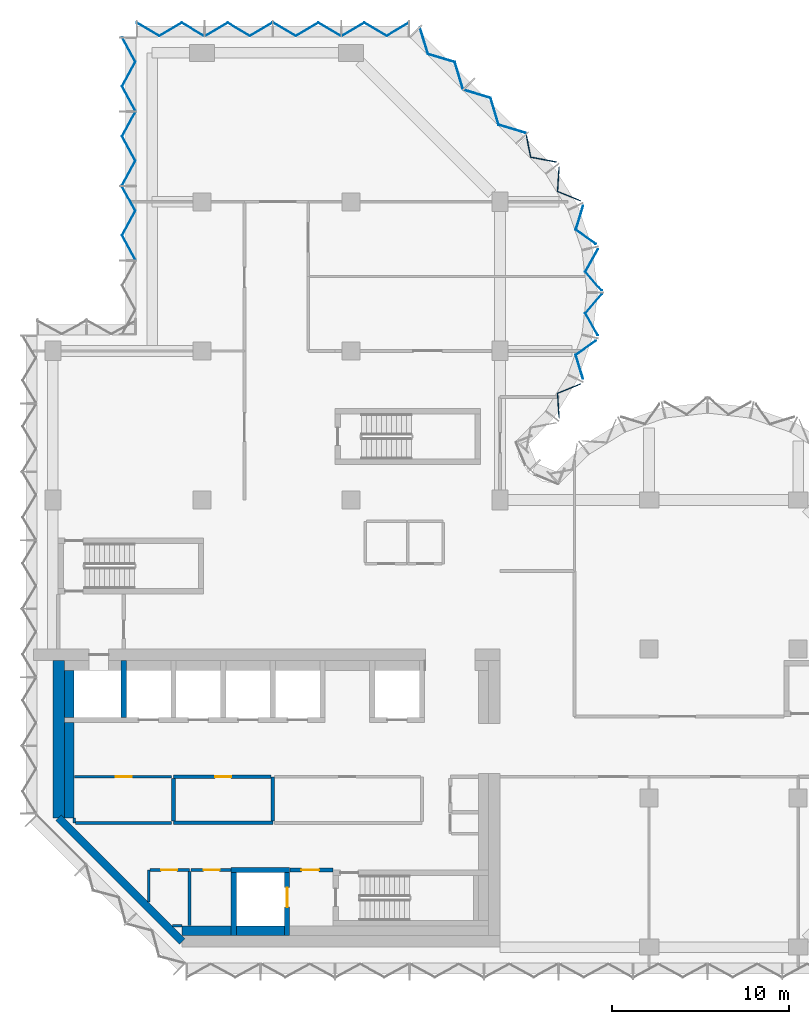
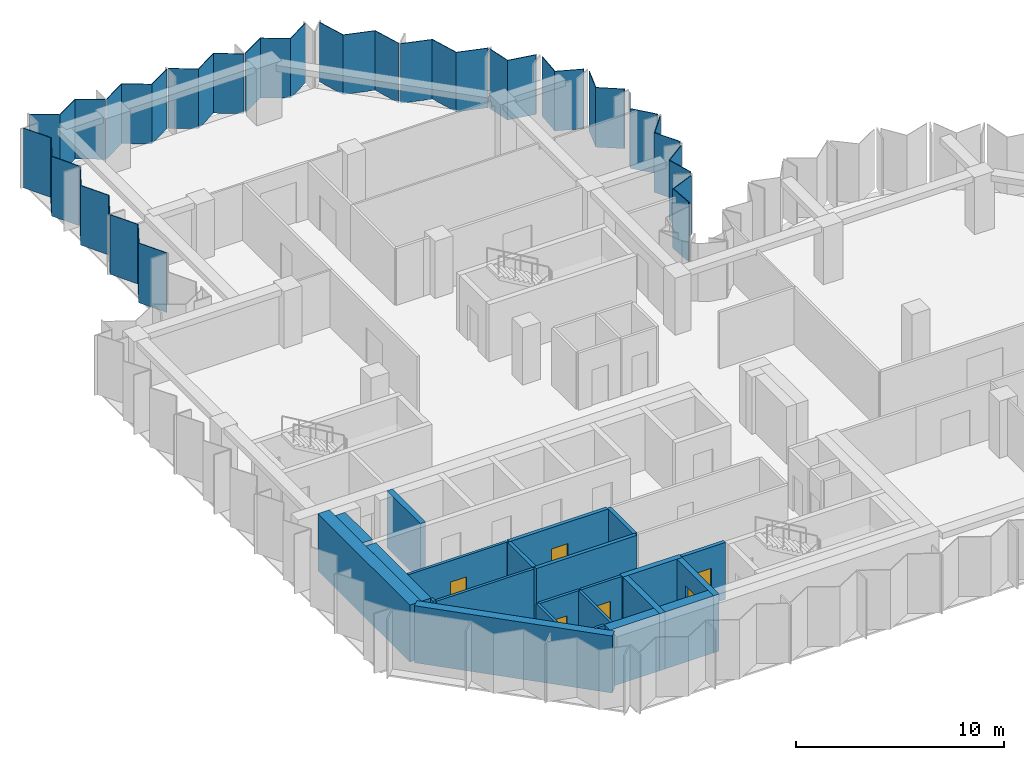
# One storey, part 4 of 9: 23 walls, 16 plates, 6 doors, 6 openings, 4 elements without a shape of their own.
"""IFC4 building model written with IfcOpenShell, lengths in metres."""

import ifcopenshell
import ifcopenshell.guid

model = None  # the IFC model being written
_history = None  # IfcOwnerHistory: only IFC2X3 demands one
_inside = {}  # id of a spatial element -> (the spatial element, [elements in it])
_under = {}  # id of a project, library or spatial element -> (it, [spatial elements below it])
_declared = {}  # id of a project -> (the project, [libraries it declares])
_typed = {}  # id of a type object -> (the type object, [elements of that type])
_made_of = {}  # id of a material, layer set ... -> (it, [elements and type objects made of it])


def new_model(schema):
    """Start an empty IFC model of exactly this schema.

    Asked for "IFC4X3", IfcOpenShell would pick the latest addendum, in which some entities
    have other attributes; the version numbers below select the first issue.
    IFC2X3 requires an IfcOwnerHistory on every rooted entity: one is made here for all.
    """
    global model, _history
    if schema == "IFC4X3":
        model = ifcopenshell.file(schema_version=(4, 3, 0, 0))
    else:
        model = ifcopenshell.file(schema=schema)
    _inside.clear()
    _under.clear()
    _declared.clear()
    _typed.clear()
    _made_of.clear()
    _history = None
    if model.schema == "IFC2X3":
        org = make("IfcOrganization", Name="unknown")
        user = make(
            "IfcPersonAndOrganization",
            ThePerson=make("IfcPerson", FamilyName="unknown"),
            TheOrganization=org,
        )
        app = make(
            "IfcApplication",
            ApplicationDeveloper=org,
            Version="unknown",
            ApplicationFullName="unknown",
            ApplicationIdentifier="unknown",
        )
        _history = make(
            "IfcOwnerHistory",
            OwningUser=user,
            OwningApplication=app,
            ChangeAction="ADDED",
            CreationDate=0,
        )
    return model


def make(cls, **values):
    """One entity of the class cls with the attributes given. An attribute that is None is left unset."""
    return model.create_entity(
        cls, **{name: value for name, value in values.items() if value is not None}
    )


def rooted(cls, **values):
    """An entity with a GlobalId (a new one), such as an element, a storey or a relation."""
    return make(cls, GlobalId=ifcopenshell.guid.new(), OwnerHistory=_history, **values)


def si_unit(unit_type, name, prefix=None):
    """IfcSIUnit, for example si_unit("LENGTHUNIT", "METRE", prefix="MILLI")."""
    return make("IfcSIUnit", UnitType=unit_type, Prefix=prefix, Name=name)


def assignment(units):
    """IfcUnitAssignment: the units of a project."""
    return None if units is None else make("IfcUnitAssignment", Units=units)


def point(xyz):
    """IfcCartesianPoint."""
    return None if xyz is None else make("IfcCartesianPoint", Coordinates=xyz)


def direction(xyz):
    """IfcDirection."""
    return None if xyz is None else make("IfcDirection", DirectionRatios=xyz)


def frame(location, z_axis=None, x_axis=None):
    """IfcAxis2Placement3D, a coordinate frame: its origin and axes. An axis left out is left unset."""
    return make(
        "IfcAxis2Placement3D",
        Location=point(location),
        Axis=direction(z_axis),
        RefDirection=direction(x_axis),
    )


def frame_2d(location, x_axis=None):
    """IfcAxis2Placement2D, a coordinate frame in the plane: its origin and x axis."""
    return make(
        "IfcAxis2Placement2D", Location=point(location), RefDirection=direction(x_axis)
    )


def origin():
    """The frame at (0, 0, 0) with its axes left unset."""
    return frame((0.0, 0.0, 0.0))


def place(relative_to, where):
    """IfcLocalPlacement: puts the frame where relative to a parent placement (None: the world)."""
    return make(
        "IfcLocalPlacement", PlacementRelTo=relative_to, RelativePlacement=where
    )


def context(
    kind, dimensions, precision=None, world=None, true_north=None, identifier=None
):
    """IfcGeometricRepresentationContext, for example the 3D "Model" context."""
    return make(
        "IfcGeometricRepresentationContext",
        ContextIdentifier=identifier,
        ContextType=kind,
        CoordinateSpaceDimension=dimensions,
        Precision=precision,
        WorldCoordinateSystem=world,
        TrueNorth=true_north,
    )


def subcontext(parent, identifier, kind, view, scale=None):
    """IfcGeometricRepresentationSubContext, for example "Body" below "Model"."""
    return make(
        "IfcGeometricRepresentationSubContext",
        ContextIdentifier=identifier,
        ContextType=kind,
        ParentContext=parent,
        TargetScale=scale,
        TargetView=view,
    )


def project(units=None, contexts=None):
    """IfcProject with its units and contexts."""
    return rooted(
        "IfcProject",
        Name="project",
        RepresentationContexts=contexts,
        UnitsInContext=assignment(units),
    )


def spatial(cls, under=None, at=None, **own):
    """A site, building, storey or space (cls), placed at a placement, below another one or the project."""
    s = rooted(cls, ObjectPlacement=at, **own)
    if under is not None:
        _under.setdefault(under.id(), (under, []))[1].append(s)
    return s


def polyline(points):
    """IfcPolyline through the points."""
    return make("IfcPolyline", Points=[point(p) for p in points])


def profile(cls, at=None, kind="AREA", **sizes):
    """A parametric profile (cls). Its sizes go by their IFC names, for example OverallWidth=200.0."""
    return make(cls, ProfileType=kind, Position=at, **sizes)


def rectangle(**sizes):
    """IfcRectangleProfileDef."""
    return profile("IfcRectangleProfileDef", **sizes)


def outline(outer, holes=None, kind="AREA"):
    """IfcArbitraryClosedProfileDef: a profile drawn as a closed curve; with holes, ...WithVoids."""
    if holes is None:
        return make("IfcArbitraryClosedProfileDef", ProfileType=kind, OuterCurve=outer)
    return make(
        "IfcArbitraryProfileDefWithVoids",
        ProfileType=kind,
        OuterCurve=outer,
        InnerCurves=holes,
    )


def extrude(swept, where, along, depth):
    """IfcExtrudedAreaSolid: the profile swept, set in the frame where, extruded along a direction by depth."""
    return make(
        "IfcExtrudedAreaSolid",
        SweptArea=swept,
        Position=where,
        ExtrudedDirection=direction(along),
        Depth=depth,
    )


def shape(context_of_items, identifier, shape_type, items):
    """IfcShapeRepresentation: the items that make up one representation, for example the "Body"."""
    return make(
        "IfcShapeRepresentation",
        ContextOfItems=context_of_items,
        RepresentationIdentifier=identifier,
        RepresentationType=shape_type,
        Items=items,
    )


def material(Name=None, Category=None):
    """IfcMaterial."""
    return make("IfcMaterial", Name=Name, Category=Category)


def layer(
    of_material, thickness, ventilated=None, Name=None, Category=None, Priority=None
):
    """IfcMaterialLayer: one layer of a wall or slab, of a material (None: an air gap)."""
    return make(
        "IfcMaterialLayer",
        Material=of_material,
        LayerThickness=thickness,
        IsVentilated=ventilated,
        Name=Name,
        Category=Category,
        Priority=Priority,
    )


def layer_set(layers, Name=None):
    """IfcMaterialLayerSet."""
    return make("IfcMaterialLayerSet", MaterialLayers=layers, LayerSetName=Name)


def made_of(thing, what):
    """Note that an element or type object is made of a material, layer set ...; save() writes the relation."""
    if what is not None:
        _made_of.setdefault(what.id(), (what, []))[1].append(thing)
    return thing


def type_object(cls, material=None, **own):
    """A type object (cls), such as IfcWallType, which elements share."""
    return made_of(rooted(cls, **own), material)


def element(
    cls,
    number,
    at=None,
    inside=None,
    cuts=None,
    type_object=None,
    material=None,
    context=None,
    identifier="Body",
    shape_type=None,
    held_by="IfcProductDefinitionShape",
    body=None,
    shapes=None,
    **own,
):
    """One element of the class cls, such as IfcWall. Its Tag is "e" and its number.

    at: its placement. inside: the storey or other place that contains it. cuts: it is an
    opening in that element (IfcRelVoidsElement). A single representation is given by context,
    identifier, shape_type and body (its items); several are given by shapes. held_by: the class
    of the entity that holds the representations. save() writes the other relations.
    """
    e = rooted(cls, Tag="e%d" % number, ObjectPlacement=at, **own)
    if body is not None:
        shapes = [shape(context, identifier, shape_type, body)]
    if shapes is not None:
        e.Representation = make(held_by, Representations=shapes)
    if inside is not None:
        _inside.setdefault(inside.id(), (inside, []))[1].append(e)
    if cuts is not None:
        rooted(
            "IfcRelVoidsElement", RelatingBuildingElement=cuts, RelatedOpeningElement=e
        )
    if type_object is not None:
        _typed.setdefault(type_object.id(), (type_object, []))[1].append(e)
    return made_of(e, material)


def fill(opening, filler):
    """IfcRelFillsElement: the door or window that sits in an opening."""
    return rooted(
        "IfcRelFillsElement",
        RelatingOpeningElement=opening,
        RelatedBuildingElement=filler,
    )


def aggregate(whole, parts):
    """IfcRelAggregates: a whole, such as a stair, and the parts it consists of."""
    return rooted("IfcRelAggregates", RelatingObject=whole, RelatedObjects=parts)


def save(model, path):
    """Write the relations noted so far, then the file.

    IfcRelAggregates (storeys below a building ...), IfcRelContainedInSpatialStructure (elements
    in a storey), IfcRelDefinesByType, IfcRelAssociatesMaterial and IfcRelDeclares: one each for
    every whole, place, type object, material and project.
    """
    for whole, parts in _under.values():
        aggregate(whole, parts)
    for where, things in _inside.values():
        rooted(
            "IfcRelContainedInSpatialStructure",
            RelatedElements=things,
            RelatingStructure=where,
        )
    for kind, things in _typed.values():
        rooted("IfcRelDefinesByType", RelatedObjects=things, RelatingType=kind)
    for what, things in _made_of.values():
        rooted("IfcRelAssociatesMaterial", RelatedObjects=things, RelatingMaterial=what)
    for by, libraries in _declared.values():
        rooted("IfcRelDeclares", RelatingContext=by, RelatedDefinitions=libraries)
    model.write(path)


model = new_model("IFC4")

# Units and contexts
model_context = context("Model", 3, precision=1e-05, world=origin(), true_north=direction((0.0, 1.0)))
body_context = subcontext(model_context, "Body", "Model", "MODEL_VIEW")
ifc_project = project(units=[si_unit("LENGTHUNIT", "METRE"), si_unit("AREAUNIT", "SQUARE_METRE"), si_unit("VOLUMEUNIT", "CUBIC_METRE"), si_unit("PLANEANGLEUNIT", "RADIAN"), si_unit("MASSUNIT", "GRAM", prefix="KILO")], contexts=[model_context])

# Site, building, storey
site_placement = place(None, origin())
site = spatial("IfcSite", under=ifc_project, at=site_placement, CompositionType="ELEMENT")
building_placement = place(site_placement, origin())
building = spatial("IfcBuilding", under=site, at=building_placement, Name="Brevane Broadcast Tower", CompositionType="ELEMENT")
storey_placement = place(building_placement, frame((0.0, 0.0, 192.0)))
storey = spatial("IfcBuildingStorey", under=building, at=storey_placement, Name="L48", CompositionType="ELEMENT", Elevation=192.0)

# Curtain wall, plates
ifc_material_1 = material(Name="Aluminium 6063-T6 bronze anodised", Category="aluminium")
curtain_wall_type = type_object("IfcCurtainWallType", Name="CW-1 curtain wall", PredefinedType="NOTDEFINED", material=ifc_material_1)
curtain_wall_1_placement = place(storey_placement, origin())
curtain_wall_1 = element("IfcCurtainWall", 1, at=curtain_wall_1_placement, inside=storey, type_object=curtain_wall_type, Name="CW-1 typical tilted unit L48 north bow", PredefinedType="NOTDEFINED")
ifc_material_2 = material(Name="Laminated glass bronze-tinted", Category="glass")
ifc_layer_1 = layer(ifc_material_2, 0.0400390625)
ifc_layer_set_1 = layer_set([ifc_layer_1], Name="CW tall glass panel 40")
plate_type = type_object("IfcPlateType", Name="CW tall glass panel 40", PredefinedType="CURTAIN_PANEL", material=ifc_layer_set_1)
plate_1_placement = place(storey_placement, frame((0.0, 0.0, -0.14990234375)))
plate_1 = element("IfcPlate", 2, at=plate_1_placement, type_object=plate_type, Name="CW-1 glass panel", PredefinedType="CURTAIN_PANEL", context=body_context, shape_type="SweptSolid", body=[
    extrude(outline(polyline([(28.5087890625, 29.849609375), (28.551025390625, 29.816650390625), (28.462890625, 31.198486328125), (29.76171875, 31.729736328125), (29.712890625, 31.753173828125), (28.42138671875, 31.224609375), (28.5087890625, 29.849609375)])), origin(), (0.0, 0.0, 1.0), 3.5),
])
plate_2_placement = place(storey_placement, frame((0.0, 0.0, -0.14990234375)))
plate_2 = element("IfcPlate", 3, at=plate_2_placement, type_object=plate_type, Name="CW-1 glass panel", PredefinedType="CURTAIN_PANEL", context=body_context, shape_type="SweptSolid", body=[
    extrude(outline(polyline([(29.851806640625, 32.044677734375), (29.900634765625, 32.021484375), (29.494384765625, 33.364501953125), (30.622802734375, 34.167236328125), (30.57080078125, 34.17919921875), (29.44775390625, 33.380615234375), (29.851806640625, 32.044677734375)])), origin(), (0.0, 0.0, 1.0), 3.5),
])
plate_3_placement = place(storey_placement, frame((0.0, 0.0, -0.14990234375)))
plate_3 = element("IfcPlate", 4, at=plate_3_placement, type_object=plate_type, Name="CW-1 glass panel", PredefinedType="CURTAIN_PANEL", context=body_context, shape_type="SweptSolid", body=[
    extrude(outline(polyline([(30.68798828125, 34.483642578125), (30.740478515625, 34.4716796875), (30.036376953125, 35.730224609375), (30.94921875, 36.7919921875), (30.896484375, 36.7919921875), (29.98779296875, 35.735107421875), (30.68798828125, 34.483642578125)])), origin(), (0.0, 0.0, 1.0), 3.5),
])
plate_4_placement = place(storey_placement, frame((0.0, 0.0, -0.14990234375)))
plate_4 = element("IfcPlate", 5, at=plate_4_placement, type_object=plate_type, Name="CW-1 glass panel", PredefinedType="CURTAIN_PANEL", context=body_context, shape_type="SweptSolid", body=[
    extrude(outline(polyline([(30.896484375, 37.008056640625), (30.94921875, 37.008056640625), (30.036376953125, 38.069580078125), (30.740478515625, 39.328369140625), (30.68798828125, 39.31640625), (29.98779296875, 38.064697265625), (30.896484375, 37.008056640625)])), origin(), (0.0, 0.0, 1.0), 3.5),
])
plate_5_placement = place(storey_placement, frame((0.0, 0.0, -0.14990234375)))
plate_5 = element("IfcPlate", 6, at=plate_5_placement, type_object=plate_type, Name="CW-1 glass panel", PredefinedType="CURTAIN_PANEL", context=body_context, shape_type="SweptSolid", body=[
    extrude(outline(polyline([(30.57080078125, 39.62060546875), (30.622802734375, 39.6328125), (29.494384765625, 40.435546875), (29.900634765625, 41.778564453125), (29.851806640625, 41.75537109375), (29.44775390625, 40.41943359375), (30.57080078125, 39.62060546875)])), origin(), (0.0, 0.0, 1.0), 3.5),
])
plate_6_placement = place(storey_placement, frame((0.0, 0.0, -0.14990234375)))
plate_6 = element("IfcPlate", 7, at=plate_6_placement, type_object=plate_type, Name="CW-1 glass panel", PredefinedType="CURTAIN_PANEL", context=body_context, shape_type="SweptSolid", body=[
    extrude(outline(polyline([(29.712890625, 42.046875), (29.76171875, 42.0703125), (28.462890625, 42.601318359375), (28.551025390625, 43.9833984375), (28.5087890625, 43.950439453125), (28.42138671875, 42.5751953125), (29.712890625, 42.046875)])), origin(), (0.0, 0.0, 1.0), 3.5),
])
plate_7_placement = place(storey_placement, frame((0.0, 0.0, -0.14990234375)))
plate_7 = element("IfcPlate", 8, at=plate_7_placement, type_object=plate_type, Name="CW-1 glass panel", PredefinedType="CURTAIN_PANEL", context=body_context, shape_type="SweptSolid", body=[
    extrude(outline(polyline([(28.34375, 44.231201171875), (28.3857421875, 44.263916015625), (26.9423828125, 44.539306640625), (26.690185546875, 45.82470703125), (26.656005859375, 45.79150390625), (26.908203125, 44.5048828125), (28.34375, 44.231201171875)])), origin(), (0.0, 0.0, 1.0), 3.5),
])
aggregate(curtain_wall_1, [plate_1, plate_2, plate_3, plate_4, plate_5, plate_6, plate_7])

curtain_wall_2_placement = place(storey_placement, origin())
curtain_wall_2 = element("IfcCurtainWall", 9, at=curtain_wall_2_placement, inside=storey, type_object=curtain_wall_type, Name="CW-1 typical tilted unit L48 north arm north-east chamfer", PredefinedType="NOTDEFINED")
plate_8_placement = place(storey_placement, frame((0.0, 0.0, -0.14990234375)))
plate_8 = element("IfcPlate", 10, at=plate_8_placement, type_object=plate_type, Name="CW-1 glass panel", PredefinedType="CURTAIN_PANEL", context=body_context, shape_type="SweptSolid", body=[
    extrude(outline(polyline([(26.620849609375, 45.870361328125), (26.653076171875, 45.902587890625), (25.14306640625, 46.359619140625), (24.68603515625, 47.869384765625), (23.176025390625, 48.32666015625), (23.14404296875, 48.294677734375), (24.65380859375, 47.83740234375), (25.111083984375, 46.32763671875), (26.620849609375, 45.870361328125)])), origin(), (0.0, 0.0, 1.0), 3.5),
])
plate_9_placement = place(storey_placement, frame((0.0, 0.0, -0.14990234375)))
plate_9 = element("IfcPlate", 11, at=plate_9_placement, type_object=plate_type, Name="CW-1 glass panel", PredefinedType="CURTAIN_PANEL", context=body_context, shape_type="SweptSolid", body=[
    extrude(outline(polyline([(23.094482421875, 48.343994140625), (23.126708984375, 48.376220703125), (22.66943359375, 49.885986328125), (21.15966796875, 50.343017578125), (20.702392578125, 51.85302734375), (20.67041015625, 51.82080078125), (21.127685546875, 50.31103515625), (22.637451171875, 49.85400390625), (23.094482421875, 48.343994140625)])), origin(), (0.0, 0.0, 1.0), 3.5),
])
aggregate(curtain_wall_2, [plate_8, plate_9])

curtain_wall_3_placement = place(storey_placement, origin())
curtain_wall_3 = element("IfcCurtainWall", 12, at=curtain_wall_3_placement, inside=storey, type_object=curtain_wall_type, Name="CW-1 typical tilted unit L48 north end", PredefinedType="NOTDEFINED")
plate_10_placement = place(storey_placement, frame((0.0, 0.0, -0.14990234375)))
plate_10 = element("IfcPlate", 13, at=plate_10_placement, type_object=plate_type, Name="CW-1 glass panel", PredefinedType="CURTAIN_PANEL", context=body_context, shape_type="SweptSolid", body=[
    extrude(outline(polyline([(20.06494140625, 52.0712890625), (20.06494140625, 52.11767578125), (18.804931640625, 51.373291015625), (17.544921875, 52.11767578125), (16.284912109375, 51.373291015625), (16.284912109375, 51.326904296875), (17.544921875, 52.0712890625), (18.804931640625, 51.326904296875), (20.06494140625, 52.0712890625)])), origin(), (0.0, 0.0, 1.0), 3.5),
])
plate_11_placement = place(storey_placement, frame((0.0, 0.0, -0.14990234375)))
plate_11 = element("IfcPlate", 14, at=plate_11_placement, type_object=plate_type, Name="CW-1 glass panel", PredefinedType="CURTAIN_PANEL", context=body_context, shape_type="SweptSolid", body=[
    extrude(outline(polyline([(16.215087890625, 51.326904296875), (16.215087890625, 51.373291015625), (14.955078125, 52.11767578125), (13.695068359375, 51.373291015625), (12.43505859375, 52.11767578125), (12.43505859375, 52.0712890625), (13.695068359375, 51.326904296875), (14.955078125, 52.0712890625), (16.215087890625, 51.326904296875)])), origin(), (0.0, 0.0, 1.0), 3.5),
])
plate_12_placement = place(storey_placement, frame((0.0, 0.0, -0.14990234375)))
plate_12 = element("IfcPlate", 15, at=plate_12_placement, type_object=plate_type, Name="CW-1 glass panel", PredefinedType="CURTAIN_PANEL", context=body_context, shape_type="SweptSolid", body=[
    extrude(outline(polyline([(12.364990234375, 52.0712890625), (12.364990234375, 52.11767578125), (11.10498046875, 51.373291015625), (9.844970703125, 52.11767578125), (8.5849609375, 51.373291015625), (8.5849609375, 51.326904296875), (9.844970703125, 52.0712890625), (11.10498046875, 51.326904296875), (12.364990234375, 52.0712890625)])), origin(), (0.0, 0.0, 1.0), 3.5),
])
plate_13_placement = place(storey_placement, frame((0.0, 0.0, -0.14990234375)))
plate_13 = element("IfcPlate", 16, at=plate_13_placement, type_object=plate_type, Name="CW-1 glass panel", PredefinedType="CURTAIN_PANEL", context=body_context, shape_type="SweptSolid", body=[
    extrude(outline(polyline([(8.514892578125, 51.326904296875), (8.514892578125, 51.373291015625), (7.2548828125, 52.11767578125), (5.9951171875, 51.373291015625), (4.735107421875, 52.11767578125), (4.735107421875, 52.0712890625), (5.9951171875, 51.326904296875), (7.2548828125, 52.0712890625), (8.514892578125, 51.326904296875)])), origin(), (0.0, 0.0, 1.0), 3.5),
])
aggregate(curtain_wall_3, [plate_10, plate_11, plate_12, plate_13])

curtain_wall_4_placement = place(storey_placement, origin())
curtain_wall_4 = element("IfcCurtainWall", 17, at=curtain_wall_4_placement, inside=storey, type_object=curtain_wall_type, Name="CW-1 typical tilted unit L48 north wing west face, lower block", PredefinedType="NOTDEFINED")
plate_14_placement = place(storey_placement, frame((0.0, 0.0, -0.14990234375)))
plate_14 = element("IfcPlate", 18, at=plate_14_placement, type_object=plate_type, Name="CW-1 glass panel", PredefinedType="CURTAIN_PANEL", context=body_context, shape_type="SweptSolid", body=[
    extrude(outline(polyline([(3.92822265625, 51.264892578125), (3.8828125, 51.264892578125), (4.627197265625, 49.88818359375), (3.8828125, 48.51171875), (4.627197265625, 47.135009765625), (4.672607421875, 47.135009765625), (3.92822265625, 48.51171875), (4.672607421875, 49.88818359375), (3.92822265625, 51.264892578125)])), origin(), (0.0, 0.0, 1.0), 3.5),
])
plate_15_placement = place(storey_placement, frame((0.0, 0.0, -0.14990234375)))
plate_15 = element("IfcPlate", 19, at=plate_15_placement, type_object=plate_type, Name="CW-1 glass panel", PredefinedType="CURTAIN_PANEL", context=body_context, shape_type="SweptSolid", body=[
    extrude(outline(polyline([(4.672607421875, 47.06494140625), (4.627197265625, 47.06494140625), (3.8828125, 45.688232421875), (4.627197265625, 44.311767578125), (3.8828125, 42.93505859375), (3.92822265625, 42.93505859375), (4.672607421875, 44.311767578125), (3.92822265625, 45.688232421875), (4.672607421875, 47.06494140625)])), origin(), (0.0, 0.0, 1.0), 3.5),
])
plate_16_placement = place(storey_placement, frame((0.0, 0.0, -0.14990234375)))
plate_16 = element("IfcPlate", 20, at=plate_16_placement, type_object=plate_type, Name="CW-1 glass panel", PredefinedType="CURTAIN_PANEL", context=body_context, shape_type="SweptSolid", body=[
    extrude(outline(polyline([(3.92822265625, 42.864990234375), (3.8828125, 42.864990234375), (4.627197265625, 41.48828125), (3.8828125, 40.11181640625), (4.627197265625, 38.735107421875), (4.672607421875, 38.735107421875), (3.92822265625, 40.11181640625), (4.672607421875, 41.48828125), (3.92822265625, 42.864990234375)])), origin(), (0.0, 0.0, 1.0), 3.5),
])
aggregate(curtain_wall_4, [plate_14, plate_15, plate_16])

# Walls
ifc_material_3 = material(Name="Concrete C32/40", Category="concrete")
ifc_layer_2 = layer(ifc_material_3, 0.550048828125)
ifc_layer_set_2 = layer_set([ifc_layer_2], Name="Core chase wall 550 mm")
wall_type_1 = type_object("IfcWallType", Name="Core chase wall 550 mm", PredefinedType="PARTITIONING", material=ifc_layer_set_2)
wall_1_placement = place(storey_placement, frame((0.925048828125, 7.286376953125, 0.0), z_axis=(0.0, 0.0, 1.0), x_axis=(0.0, 1.0, 0.0)))
element("IfcWall", 21, at=wall_1_placement, inside=storey, type_object=wall_type_1, Name="L48 chase wall LW-1", PredefinedType="PARTITIONING", context=body_context, shape_type="SweptSolid", body=[
    extrude(rectangle(XDim=5.363525390625, YDim=0.550048828125, at=frame_2d((2.681640625, 0.0))), origin(), (0.0, 0.0, 1.0), 3.35009765625),
])
wall_2_placement = place(storey_placement, frame((0.925048828125, 12.949951171875, 0.0), z_axis=(0.0, 0.0, 1.0), x_axis=(0.0, 1.0, 0.0)))
element("IfcWall", 22, at=wall_2_placement, inside=storey, type_object=wall_type_1, Name="L48 chase wall LW-2", PredefinedType="PARTITIONING", context=body_context, shape_type="SweptSolid", body=[
    extrude(rectangle(XDim=2.650146484375, YDim=0.550048828125, at=frame_2d((1.3251953125, 0.0))), origin(), (0.0, 0.0, 1.0), 3.35009765625),
])
wall_3_placement = place(storey_placement, frame((7.286376953125, 0.925048828125, 0.0), z_axis=(0.0, 0.0, 1.0), x_axis=(1.0, 0.0, 0.0)))
element("IfcWall", 23, at=wall_3_placement, inside=storey, type_object=wall_type_1, Name="L48 chase wall LS-1", PredefinedType="PARTITIONING", context=body_context, shape_type="SweptSolid", body=[
    extrude(rectangle(XDim=2.763671875, YDim=0.550048828125, at=frame_2d((1.3818359375, 0.0))), origin(), (0.0, 0.0, 1.0), 3.35009765625),
])
wall_4_placement = place(storey_placement, frame((10.35009765625, 0.925048828125, 0.0), z_axis=(0.0, 0.0, 1.0), x_axis=(1.0, 0.0, 0.0)))
element("IfcWall", 24, at=wall_4_placement, inside=storey, type_object=wall_type_1, Name="L48 chase wall LS-2-1", PredefinedType="PARTITIONING", context=body_context, shape_type="SweptSolid", body=[
    extrude(rectangle(XDim=2.699951171875, YDim=0.550048828125, at=frame_2d((1.35009765625, 0.0))), origin(), (0.0, 0.0, 1.0), 3.35009765625),
])
ifc_material_4 = material(Name="Gypsum board on steel studs", Category="steel")
ifc_layer_3 = layer(ifc_material_4, 0.14990234375)
ifc_layer_set_3 = layer_set([ifc_layer_3], Name="Core fire partition 150 mm")
wall_type_2 = type_object("IfcWallType", Name="Core fire partition 150 mm", PredefinedType="PARTITIONING", material=ifc_layer_set_3)
wall_5_placement = place(storey_placement, frame((5.39990234375, 2.553466796875, 0.0), z_axis=(0.0, 0.0, 1.0), x_axis=(0.0, 1.0, 0.0)))
element("IfcWall", 25, at=wall_5_placement, inside=storey, type_object=wall_type_2, Name="L48 partition wall P11", PredefinedType="PARTITIONING", context=body_context, shape_type="SweptSolid", body=[
    extrude(rectangle(XDim=1.796630859375, YDim=0.14990234375, at=frame_2d((0.8984375, 0.0))), origin(), (0.0, 0.0, 1.0), 3.35009765625),
])

# Wall, opening, door
wall_6_placement = place(storey_placement, frame((5.47509765625, 4.35009765625, 0.0), z_axis=(0.0, 0.0, 1.0), x_axis=(1.0, 0.0, 0.0)))
wall_6 = element("IfcWall", 26, at=wall_6_placement, inside=storey, type_object=wall_type_2, Name="L48 partition wall P12", PredefinedType="PARTITIONING", context=body_context, shape_type="SweptSolid", body=[
    extrude(rectangle(XDim=2.224853515625, YDim=0.14990234375, at=frame_2d((1.1123046875, 0.0))), origin(), (0.0, 0.0, 1.0), 3.35009765625),
])
opening_1_placement = place(wall_6_placement, frame((0.625, 0.0, 0.0)))
opening_1 = element("IfcOpeningElement", 27, at=opening_1_placement, cuts=wall_6, Name="Opening L48-K14", PredefinedType="OPENING", context=body_context, shape_type="SweptSolid", body=[
    extrude(rectangle(XDim=0.89990234375, YDim=2.10009765625, at=frame_2d((0.449951171875, 1.050048828125))), frame((0.0, 0.0849609375, 0.0), z_axis=(0.0, -1.0, 0.0), x_axis=(1.0, 0.0, 0.0)), (0.0, 0.0, 1.0), 0.169921875),
])
ifc_material_5 = material(Name="Timber", Category="wood")
door_type_1 = type_object("IfcDoorType", Name="Toilet door 900 x 2100", OperationType="SINGLE_SWING_LEFT", PredefinedType="DOOR", material=ifc_material_5)
door_1_placement = place(opening_1_placement, origin())
door_1 = element("IfcDoor", 28, at=door_1_placement, inside=storey, type_object=door_type_1, Name="Door L48-K14", OperationType="SINGLE_SWING_LEFT", OverallHeight=2.10009765625, OverallWidth=0.89990234375, PredefinedType="DOOR", context=body_context, shape_type="SweptSolid", body=[
    extrude(rectangle(XDim=0.89990234375, YDim=2.10009765625, at=frame_2d((0.449951171875, 1.050048828125))), frame((0.0, 0.02490234375, 0.0), z_axis=(0.0, -1.0, 0.0), x_axis=(1.0, 0.0, 0.0)), (0.0, 0.0, 1.0), 0.050048828125),
])
fill(opening_1, door_1)

# Walls
wall_7_placement = place(storey_placement, frame((7.699951171875, 4.27490234375, 0.0), z_axis=(0.0, 0.0, 1.0), x_axis=(0.0, -1.0, 0.0)))
element("IfcWall", 29, at=wall_7_placement, inside=storey, type_object=wall_type_2, Name="L48 partition wall P13", PredefinedType="PARTITIONING", context=body_context, shape_type="SweptSolid", body=[
    extrude(rectangle(XDim=3.06298828125, YDim=0.14990234375, at=frame_2d((1.531494140625, 0.0))), origin(), (0.0, 0.0, 1.0), 3.35009765625),
])
wall_8_placement = place(storey_placement, frame((7.2744140625, 1.199951171875, 0.0), z_axis=(0.0, 0.0, 1.0), x_axis=(-1.0, 0.0, 0.0)))
element("IfcWall", 30, at=wall_8_placement, inside=storey, type_object=wall_type_2, Name="L48 partition wall P14", PredefinedType="PARTITIONING", context=body_context, shape_type="SweptSolid", body=[
    extrude(rectangle(XDim=0.52099609375, YDim=0.14990234375, at=frame_2d((0.260498046875, 0.0))), origin(), (0.0, 0.0, 1.0), 3.35009765625),
])

# Wall, opening, door
wall_9_placement = place(storey_placement, frame((6.699951171875, 9.60009765625, 0.0), z_axis=(0.0, 0.0, 1.0), x_axis=(-1.0, 0.0, 0.0)))
wall_9 = element("IfcWall", 31, at=wall_9_placement, inside=storey, type_object=wall_type_2, Name="L48 partition wall P15", PredefinedType="PARTITIONING", context=body_context, shape_type="SweptSolid", body=[
    extrude(rectangle(XDim=5.488037109375, YDim=0.14990234375, at=frame_2d((2.744140625, 0.0))), origin(), (0.0, 0.0, 1.0), 3.35009765625),
])
opening_2_placement = place(wall_9_placement, frame((2.25, 0.0, 0.0)))
opening_2 = element("IfcOpeningElement", 32, at=opening_2_placement, cuts=wall_9, Name="Opening L48-K19", PredefinedType="OPENING", context=body_context, shape_type="SweptSolid", body=[
    extrude(rectangle(XDim=0.89990234375, YDim=2.10009765625, at=frame_2d((0.449951171875, 1.050048828125))), frame((0.0, 0.0849609375, 0.0), z_axis=(0.0, -1.0, 0.0), x_axis=(1.0, 0.0, 0.0)), (0.0, 0.0, 1.0), 0.169921875),
])
ifc_material_6 = material(Name="Steel", Category="steel")
door_type_2 = type_object("IfcDoorType", Name="Service room door 900 x 2100", OperationType="SINGLE_SWING_LEFT", PredefinedType="DOOR", material=ifc_material_6)
door_2_placement = place(opening_2_placement, origin())
door_2 = element("IfcDoor", 33, at=door_2_placement, inside=storey, type_object=door_type_2, Name="Door L48-K19", OperationType="SINGLE_SWING_RIGHT", OverallHeight=2.10009765625, OverallWidth=0.89990234375, PredefinedType="DOOR", context=body_context, shape_type="SweptSolid", body=[
    extrude(rectangle(XDim=0.89990234375, YDim=2.10009765625, at=frame_2d((0.449951171875, 1.050048828125))), frame((0.0, 0.02490234375, 0.0), z_axis=(0.0, -1.0, 0.0), x_axis=(1.0, 0.0, 0.0)), (0.0, 0.0, 1.0), 0.050048828125),
])
fill(opening_2, door_2)

# Walls
wall_10_placement = place(storey_placement, frame((1.199951171875, 7.2744140625, 0.0), z_axis=(0.0, 0.0, 1.0), x_axis=(0.0, -1.0, 0.0)))
element("IfcWall", 34, at=wall_10_placement, inside=storey, type_object=wall_type_2, Name="L48 partition wall P16", PredefinedType="PARTITIONING", context=body_context, shape_type="SweptSolid", body=[
    extrude(rectangle(XDim=0.2744140625, YDim=0.14990234375, at=frame_2d((0.13720703125, 0.0))), origin(), (0.0, 0.0, 1.0), 3.35009765625),
])
wall_11_placement = place(storey_placement, frame((1.27490234375, 7.0, 0.0), z_axis=(0.0, 0.0, 1.0), x_axis=(1.0, 0.0, 0.0)))
element("IfcWall", 35, at=wall_11_placement, inside=storey, type_object=wall_type_2, Name="L48 partition wall P17", PredefinedType="PARTITIONING", context=body_context, shape_type="SweptSolid", body=[
    extrude(rectangle(XDim=5.425048828125, YDim=0.14990234375, at=frame_2d((2.71240234375, 0.0))), origin(), (0.0, 0.0, 1.0), 3.35009765625),
])

# Wall, opening, door
wall_12_placement = place(storey_placement, frame((10.0380859375, 4.35009765625, 0.0), z_axis=(0.0, 0.0, 1.0), x_axis=(-1.0, 0.0, 0.0)))
wall_12 = element("IfcWall", 36, at=wall_12_placement, inside=storey, type_object=wall_type_2, Name="L48 partition wall P18", PredefinedType="PARTITIONING", context=body_context, shape_type="SweptSolid", body=[
    extrude(rectangle(XDim=2.26318359375, YDim=0.14990234375, at=frame_2d((1.131591796875, 0.0))), origin(), (0.0, 0.0, 1.0), 3.35009765625),
])
opening_3_placement = place(wall_12_placement, frame((0.637939453125, 0.0, 0.0)))
opening_3 = element("IfcOpeningElement", 37, at=opening_3_placement, cuts=wall_12, Name="Opening L48-K15", PredefinedType="OPENING", context=body_context, shape_type="SweptSolid", body=[
    extrude(rectangle(XDim=0.89990234375, YDim=2.10009765625, at=frame_2d((0.449951171875, 1.050048828125))), frame((0.0, 0.0849609375, 0.0), z_axis=(0.0, -1.0, 0.0), x_axis=(1.0, 0.0, 0.0)), (0.0, 0.0, 1.0), 0.169921875),
])
door_3_placement = place(opening_3_placement, origin())
door_3 = element("IfcDoor", 38, at=door_3_placement, inside=storey, type_object=door_type_1, Name="Door L48-K15", OperationType="SINGLE_SWING_RIGHT", OverallHeight=2.10009765625, OverallWidth=0.89990234375, PredefinedType="DOOR", context=body_context, shape_type="SweptSolid", body=[
    extrude(rectangle(XDim=0.89990234375, YDim=2.10009765625, at=frame_2d((0.449951171875, 1.050048828125))), frame((0.0, 0.02490234375, 0.0), z_axis=(0.0, -1.0, 0.0), x_axis=(1.0, 0.0, 0.0)), (0.0, 0.0, 1.0), 0.050048828125),
])
fill(opening_3, door_3)

ifc_layer_4 = layer(ifc_material_4, 0.199951171875)
ifc_layer_set_4 = layer_set([ifc_layer_4], Name="Core fire partition 200 mm")
wall_type_3 = type_object("IfcWallType", Name="Core fire partition 200 mm", PredefinedType="PARTITIONING", material=ifc_layer_set_4)
wall_13_placement = place(storey_placement, frame((13.362060546875, 4.35009765625, 0.0), z_axis=(0.0, 0.0, 1.0), x_axis=(1.0, 0.0, 0.0)))
wall_13 = element("IfcWall", 39, at=wall_13_placement, inside=storey, type_object=wall_type_3, Name="L48 partition wall P03", PredefinedType="PARTITIONING", context=body_context, shape_type="SweptSolid", body=[
    extrude(rectangle(XDim=2.426025390625, YDim=0.199951171875, at=frame_2d((1.212890625, 0.0))), origin(), (0.0, 0.0, 1.0), 3.35009765625),
])
opening_4_placement = place(wall_13_placement, frame((0.637939453125, 0.0, 0.0)))
opening_4 = element("IfcOpeningElement", 40, at=opening_4_placement, cuts=wall_13, Name="Opening L48-K16", PredefinedType="OPENING", context=body_context, shape_type="SweptSolid", body=[
    extrude(rectangle(XDim=1.0, YDim=2.10009765625, at=frame_2d((0.5, 1.050048828125))), frame((0.0, 0.10986328125, 0.0), z_axis=(0.0, -1.0, 0.0), x_axis=(1.0, 0.0, 0.0)), (0.0, 0.0, 1.0), 0.219970703125),
])
door_type_3 = type_object("IfcDoorType", Name="Stair door 1000 x 2100", OperationType="SINGLE_SWING_LEFT", PredefinedType="DOOR", material=ifc_material_6)
door_4_placement = place(opening_4_placement, origin())
door_4 = element("IfcDoor", 41, at=door_4_placement, inside=storey, type_object=door_type_3, Name="Door L48-K16", OperationType="SINGLE_SWING_LEFT", OverallHeight=2.10009765625, OverallWidth=1.0, PredefinedType="DOOR", context=body_context, shape_type="SweptSolid", body=[
    extrude(rectangle(XDim=1.0, YDim=2.10009765625, at=frame_2d((0.5, 1.050048828125))), frame((0.0, 0.02490234375, 0.0), z_axis=(0.0, -1.0, 0.0), x_axis=(1.0, 0.0, 0.0)), (0.0, 0.0, 1.0), 0.050048828125),
])
fill(opening_4, door_4)

# Walls
wall_14_placement = place(storey_placement, frame((6.800048828125, 7.0, 0.0), z_axis=(0.0, 0.0, 1.0), x_axis=(1.0, 0.0, 0.0)))
element("IfcWall", 42, at=wall_14_placement, inside=storey, type_object=wall_type_3, Name="L48 partition wall P07", PredefinedType="PARTITIONING", context=body_context, shape_type="SweptSolid", body=[
    extrude(rectangle(XDim=5.599853515625, YDim=0.199951171875, at=frame_2d((2.7998046875, 0.0))), origin(), (0.0, 0.0, 1.0), 3.35009765625),
])
wall_15_placement = place(storey_placement, frame((12.39990234375, 7.10009765625, 0.0), z_axis=(0.0, 0.0, 1.0), x_axis=(0.0, 1.0, 0.0)))
element("IfcWall", 43, at=wall_15_placement, inside=storey, type_object=wall_type_3, Name="L48 partition wall P08", PredefinedType="PARTITIONING", context=body_context, shape_type="SweptSolid", body=[
    extrude(rectangle(XDim=2.5, YDim=0.199951171875, at=frame_2d((1.25, 0.0))), origin(), (0.0, 0.0, 1.0), 3.35009765625),
])

# Wall, opening, door
wall_16_placement = place(storey_placement, frame((12.300048828125, 9.60009765625, 0.0), z_axis=(0.0, 0.0, 1.0), x_axis=(-1.0, 0.0, 0.0)))
wall_16 = element("IfcWall", 44, at=wall_16_placement, inside=storey, type_object=wall_type_3, Name="L48 partition wall P09", PredefinedType="PARTITIONING", context=body_context, shape_type="SweptSolid", body=[
    extrude(rectangle(XDim=5.5, YDim=0.199951171875, at=frame_2d((2.75, 0.0))), origin(), (0.0, 0.0, 1.0), 3.35009765625),
])
opening_5_placement = place(wall_16_placement, frame((2.25, 0.0, 0.0)))
opening_5 = element("IfcOpeningElement", 45, at=opening_5_placement, cuts=wall_16, Name="Opening L48-K20", PredefinedType="OPENING", context=body_context, shape_type="SweptSolid", body=[
    extrude(rectangle(XDim=0.89990234375, YDim=2.10009765625, at=frame_2d((0.449951171875, 1.050048828125))), frame((0.0, 0.10986328125, 0.0), z_axis=(0.0, -1.0, 0.0), x_axis=(1.0, 0.0, 0.0)), (0.0, 0.0, 1.0), 0.219970703125),
])
door_5_placement = place(opening_5_placement, origin())
door_5 = element("IfcDoor", 46, at=door_5_placement, inside=storey, type_object=door_type_2, Name="Door L48-K20", OperationType="SINGLE_SWING_LEFT", OverallHeight=2.10009765625, OverallWidth=0.89990234375, PredefinedType="DOOR", context=body_context, shape_type="SweptSolid", body=[
    extrude(rectangle(XDim=0.89990234375, YDim=2.10009765625, at=frame_2d((0.449951171875, 1.050048828125))), frame((0.0, 0.02490234375, 0.0), z_axis=(0.0, -1.0, 0.0), x_axis=(1.0, 0.0, 0.0)), (0.0, 0.0, 1.0), 0.050048828125),
])
fill(opening_5, door_5)

# Walls
wall_17_placement = place(storey_placement, frame((6.800048828125, 9.5, 0.0), z_axis=(0.0, 0.0, 1.0), x_axis=(0.0, -1.0, 0.0)))
element("IfcWall", 47, at=wall_17_placement, inside=storey, type_object=wall_type_3, Name="L48 partition wall P10", PredefinedType="PARTITIONING", context=body_context, shape_type="SweptSolid", body=[
    extrude(rectangle(XDim=2.39990234375, YDim=0.199951171875, at=frame_2d((1.199951171875, 0.0))), origin(), (0.0, 0.0, 1.0), 3.35009765625),
])
ifc_material_7 = material(Name="Concrete C60/75", Category="concrete")
ifc_layer_5 = layer(ifc_material_7, 0.300048828125)
ifc_layer_set_5 = layer_set([ifc_layer_5], Name="Core wall 300 mm C60/75")
wall_type_4 = type_object("IfcWallType", Name="Core wall 300 mm C60/75", PredefinedType="SHEAR", material=ifc_layer_set_5)
wall_18_placement = place(storey_placement, frame((4.0, 12.949951171875, 0.0), z_axis=(0.0, 0.0, 1.0), x_axis=(0.0, 1.0, 0.0)))
element("IfcWall", 48, at=wall_18_placement, inside=storey, type_object=wall_type_4, Name="L48 shaft wall SH-N-P040", PredefinedType="SHEAR", context=body_context, shape_type="SweptSolid", body=[
    extrude(rectangle(XDim=3.199951171875, YDim=0.300048828125, at=frame_2d((1.60009765625, 0.0))), origin(), (0.0, 0.0, 1.0), 3.35009765625),
])
wall_19_placement = place(storey_placement, frame((10.199951171875, 0.64990234375, 0.0), z_axis=(0.0, 0.0, 1.0), x_axis=(0.0, 1.0, 0.0)))
element("IfcWall", 49, at=wall_19_placement, inside=storey, type_object=wall_type_4, Name="L48 shaft wall FF2-W", PredefinedType="SHEAR", context=body_context, shape_type="SweptSolid", body=[
    extrude(rectangle(XDim=3.550048828125, YDim=0.300048828125, at=frame_2d((1.77490234375, 0.0))), origin(), (0.0, 0.0, 1.0), 3.35009765625),
])

# Wall, opening, door
wall_20_placement = place(storey_placement, frame((13.199951171875, 0.64990234375, 0.0), z_axis=(0.0, 0.0, 1.0), x_axis=(0.0, 1.0, 0.0)))
wall_20 = element("IfcWall", 50, at=wall_20_placement, inside=storey, type_object=wall_type_4, Name="L48 shaft wall FF2-E", PredefinedType="SHEAR", context=body_context, shape_type="SweptSolid", body=[
    extrude(rectangle(XDim=3.550048828125, YDim=0.300048828125, at=frame_2d((1.77490234375, 0.0))), origin(), (0.0, 0.0, 1.0), 3.35009765625),
])
opening_6_placement = place(wall_20_placement, frame((1.60009765625, 0.0, 0.0)))
opening_6 = element("IfcOpeningElement", 51, at=opening_6_placement, cuts=wall_20, Name="Opening LD", PredefinedType="OPENING", context=body_context, shape_type="SweptSolid", body=[
    extrude(rectangle(XDim=1.10009765625, YDim=2.300048828125, at=frame_2d((0.550048828125, 1.14990234375))), frame((0.0, 0.159912109375, 0.0), z_axis=(0.0, -1.0, 0.0), x_axis=(1.0, 0.0, 0.0)), (0.0, 0.0, 1.0), 0.320068359375),
])
ifc_material_8 = material(Name="Stainless steel", Category="steel")
door_type_4 = type_object("IfcDoorType", Name="Lift landing door", OperationType="SLIDING_TO_LEFT", PredefinedType="DOOR", material=ifc_material_8)
door_6_placement = place(opening_6_placement, origin())
door_6 = element("IfcDoor", 52, at=door_6_placement, inside=storey, type_object=door_type_4, Name="Landing door FF2 L48", OperationType="SLIDING_TO_LEFT", OverallHeight=2.300048828125, OverallWidth=1.10009765625, PredefinedType="DOOR", context=body_context, shape_type="SweptSolid", body=[
    extrude(rectangle(XDim=1.10009765625, YDim=2.300048828125, at=frame_2d((0.550048828125, 1.14990234375))), frame((0.0, 0.02490234375, 0.0), z_axis=(0.0, -1.0, 0.0), x_axis=(1.0, 0.0, 0.0)), (0.0, 0.0, 1.0), 0.050048828125),
])
fill(opening_6, door_6)

# Walls
wall_21_placement = place(storey_placement, frame((10.050048828125, 4.35009765625, 0.0), z_axis=(0.0, 0.0, 1.0), x_axis=(1.0, 0.0, 0.0)))
element("IfcWall", 53, at=wall_21_placement, inside=storey, type_object=wall_type_4, Name="L48 shaft wall FF2-N", PredefinedType="SHEAR", context=body_context, shape_type="SweptSolid", body=[
    extrude(rectangle(XDim=3.300048828125, YDim=0.300048828125, at=frame_2d((1.64990234375, 0.0))), origin(), (0.0, 0.0, 1.0), 3.35009765625),
])
ifc_layer_6 = layer(ifc_material_7, 0.449951171875)
ifc_layer_set_6 = layer_set([ifc_layer_6], Name="Core wall 450 mm C60/75")
wall_type_5 = type_object("IfcWallType", Name="Core wall 450 mm C60/75", PredefinedType="SHEAR", material=ifc_layer_set_6)
wall_22_placement = place(storey_placement, frame((0.324951171875, 7.293212890625, 0.0), z_axis=(0.0, 0.0, 1.0), x_axis=(0.707106781187, -0.707106781187, 0.0)))
element("IfcWall", 54, at=wall_22_placement, inside=storey, type_object=wall_type_5, Name="L48 outer wall WC", PredefinedType="SHEAR", context=body_context, shape_type="SweptSolid", body=[
    extrude(rectangle(XDim=9.8544921875, YDim=0.449951171875, at=frame_2d((4.92724609375, 0.0))), origin(), (0.0, 0.0, 1.0), 3.35009765625),
])
ifc_layer_7 = layer(ifc_material_7, 0.64990234375)
ifc_layer_set_7 = layer_set([ifc_layer_7], Name="Core wall 650 mm C60/75")
wall_type_6 = type_object("IfcWallType", Name="Core wall 650 mm C60/75", PredefinedType="SHEAR", material=ifc_layer_set_7)
wall_23_placement = place(storey_placement, frame((0.324951171875, 7.286376953125, 0.0), z_axis=(0.0, 0.0, 1.0), x_axis=(0.0, 1.0, 0.0)))
element("IfcWall", 55, at=wall_23_placement, inside=storey, type_object=wall_type_6, Name="L48 outer wall WW", PredefinedType="SHEAR", context=body_context, shape_type="SweptSolid", body=[
    extrude(rectangle(XDim=8.863525390625, YDim=0.64990234375, at=frame_2d((4.431640625, 0.0))), origin(), (0.0, 0.0, 1.0), 3.35009765625),
])

save(model, "model.ifc")
